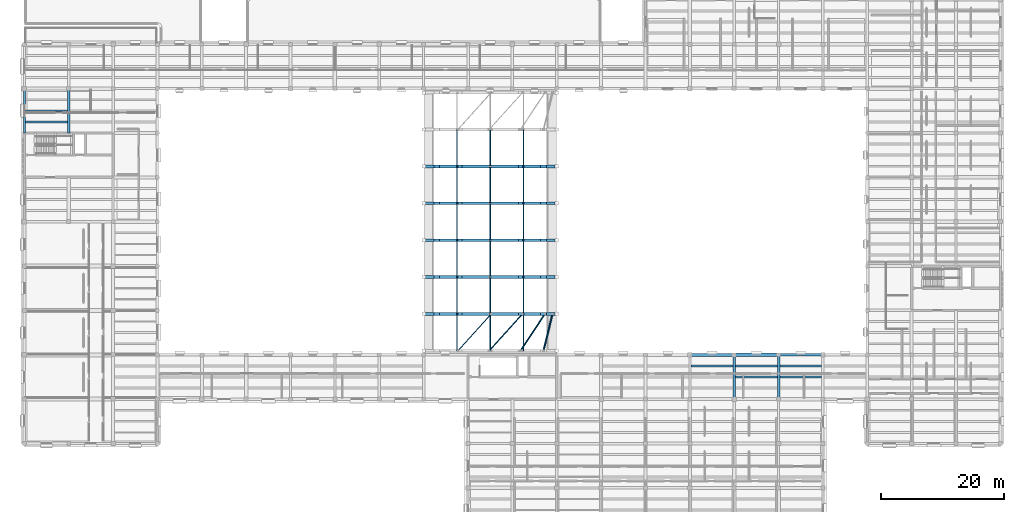
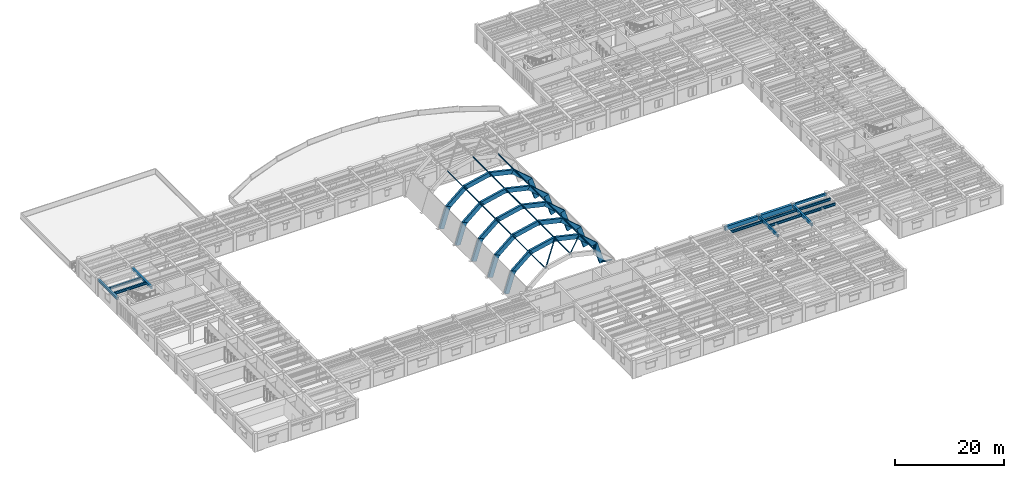
# One storey, part 10 of 66: 44 beams, 22 members.
"""IFC4 building model written with IfcOpenShell, lengths in metres."""

from ifc_helpers import new_model, si_unit, direction, frame, origin, origin_2d, place, context, subcontext, project, spatial, rectangle, hollow_circle, i_section, extrude, material, material_profile, profile_set, type_object, element, save


model = new_model("IFC4")

# Units and contexts
model_context = context("Model", 3, precision=1e-05, world=origin(), true_north=direction((0.0, 1.0)))
body_context = subcontext(model_context, "Body", "Model", "MODEL_VIEW")
ifc_project = project(units=[si_unit("LENGTHUNIT", "METRE"), si_unit("AREAUNIT", "SQUARE_METRE"), si_unit("VOLUMEUNIT", "CUBIC_METRE"), si_unit("PLANEANGLEUNIT", "RADIAN"), si_unit("MASSUNIT", "GRAM", prefix="KILO")], contexts=[model_context])

# Site, building, storey
site_placement = place(None, origin())
site = spatial("IfcSite", under=ifc_project, at=site_placement, CompositionType="ELEMENT")
building_placement = place(site_placement, origin())
building = spatial("IfcBuilding", under=site, at=building_placement, Name="Mithqara Police Headquarters", CompositionType="ELEMENT")
storey_placement = place(building_placement, frame((0.0, 0.0, 9.60009765625)))
storey = spatial("IfcBuildingStorey", under=building, at=storey_placement, Name="L02", CompositionType="ELEMENT", Elevation=9.60009765625)

# Beams
ifc_material_1 = material(Name="Steel S355JR", Category="steel")
ifc_material_profile_1 = material_profile(ifc_material_1, i_section(OverallWidth=0.300048828125, OverallDepth=0.550048828125, WebThickness=0.014892578125, FlangeThickness=0.029052734375, FilletRadius=0.027099609375, at=origin_2d()), Name="HEB 550")
ifc_profile_set_1 = profile_set([ifc_material_profile_1], Name="Steel S355JR")
beam_type_1 = type_object("IfcBeamType", Name="BEAM HEB550", PredefinedType="BEAM", material=ifc_profile_set_1)
for number, where, z_axis, x_axis, name in (
    (1, (7.97509765625, 73.199951171875, 3.664794921875), (1.0, 0.0, 0.0), (0.0, 1.0, 0.0), "L02 Composite Steel Joist 2-3/L.1"),
    (2, (7.97509765625, 75.0, 3.664794921875), (1.0, 0.0, 0.0), (0.0, 1.0, 0.0), "L02 Composite Steel Joist 2-3/L.2"),
    (3, (115.97509765625, 33.60009765625, 3.664794921875), (1.0, 0.0, 0.0), (0.0, 1.0, 0.0), "L02 Composite Steel Joist 17-18/E.3"),
):
    element("IfcBeam", number, at=place(storey_placement, frame(where, z_axis=z_axis, x_axis=x_axis)), inside=storey, type_object=beam_type_1, Name=name, PredefinedType="BEAM", context=body_context, shape_type="SweptSolid", body=[
        extrude(i_section(OverallWidth=0.300048828125, OverallDepth=0.550048828125, WebThickness=0.014892578125, FlangeThickness=0.029052734375, FilletRadius=0.027099609375, at=origin_2d()), origin(), (0.0, 0.0, 1.0), 6.849853515625),
    ])
for number, where, z_axis, x_axis, name in (
    (4, (123.175048828125, 31.800048828125, 3.664794921875), (1.0, 0.0, 0.0), (0.0, 1.0, 0.0), "L02 Composite Steel Joist 18-19/E.2"),
    (5, (123.175048828125, 33.60009765625, 3.664794921875), (1.0, 0.0, 0.0), (0.0, 1.0, 0.0), "L02 Composite Steel Joist 18-19/E.3"),
):
    element("IfcBeam", number, at=place(storey_placement, frame(where, z_axis=z_axis, x_axis=x_axis)), inside=storey, type_object=beam_type_1, Name=name, PredefinedType="BEAM", context=body_context, shape_type="SweptSolid", body=[
        extrude(i_section(OverallWidth=0.300048828125, OverallDepth=0.550048828125, WebThickness=0.014892578125, FlangeThickness=0.029052734375, FilletRadius=0.027099609375, at=origin_2d()), origin(), (0.0, 0.0, 1.0), 6.824951171875),
    ])
for number, where, z_axis, x_axis, name in (
    (6, (130.39990234375, 31.800048828125, 3.664794921875), (1.0, 0.0, 0.0), (0.0, 1.0, 0.0), "L02 Composite Steel Joist 19-20/E.2"),
    (7, (130.39990234375, 33.60009765625, 3.664794921875), (1.0, 0.0, 0.0), (0.0, 1.0, 0.0), "L02 Composite Steel Joist 19-20/E.3"),
):
    element("IfcBeam", number, at=place(storey_placement, frame(where, z_axis=z_axis, x_axis=x_axis)), inside=storey, type_object=beam_type_1, Name=name, PredefinedType="BEAM", context=body_context, shape_type="SweptSolid", body=[
        extrude(i_section(OverallWidth=0.300048828125, OverallDepth=0.550048828125, WebThickness=0.014892578125, FlangeThickness=0.029052734375, FilletRadius=0.027099609375, at=origin_2d()), origin(), (0.0, 0.0, 1.0), 6.800048828125),
    ])
ifc_material_2 = material(Name="Concrete C40/50", Category="concrete")
ifc_material_profile_2 = material_profile(ifc_material_2, rectangle(XDim=0.35009765625, YDim=0.550048828125, at=origin_2d()), Name="RC 350x550")
ifc_profile_set_2 = profile_set([ifc_material_profile_2], Name="Concrete C40/50")
beam_type_2 = type_object("IfcBeamType", Name="BEAM RC350X550", PredefinedType="BEAM", material=ifc_profile_set_2)
beam_1_placement = place(storey_placement, frame((7.800048828125, 71.39990234375, 3.664794921875), z_axis=(0.0, 1.0, 0.0), x_axis=(-1.0, 0.0, 0.0)))
element("IfcBeam", 8, at=beam_1_placement, inside=storey, type_object=beam_type_2, Name="L02 Girder 2/L-M", PredefinedType="BEAM", context=body_context, shape_type="SweptSolid", body=[
    extrude(rectangle(XDim=0.35009765625, YDim=0.550048828125, at=origin_2d()), origin(), (0.0, 0.0, 1.0), 7.2001953125),
])
beam_2_placement = place(storey_placement, frame((130.199951171875, 35.39990234375, 3.664794921875), z_axis=(1.0, 0.0, 0.0), x_axis=(0.0, 1.0, 0.0)))
element("IfcBeam", 9, at=beam_2_placement, inside=storey, type_object=beam_type_2, Name="L02 Girder 19-20/F", PredefinedType="BEAM", context=body_context, shape_type="SweptSolid", body=[
    extrude(rectangle(XDim=0.35009765625, YDim=0.550048828125, at=origin_2d()), origin(), (0.0, 0.0, 1.0), 7.199951171875),
])
ifc_material_profile_3 = material_profile(ifc_material_2, rectangle(XDim=0.35009765625, YDim=0.60009765625, at=origin_2d()), Name="RC 350x600")
ifc_profile_set_3 = profile_set([ifc_material_profile_3], Name="Concrete C40/50")
beam_type_3 = type_object("IfcBeamType", Name="BEAM RC350X600", PredefinedType="BEAM", material=ifc_profile_set_3)
beam_3_placement = place(storey_placement, frame((15.0, 71.39990234375, 3.639892578125), z_axis=(0.0, 1.0, 0.0), x_axis=(-1.0, 0.0, 0.0)))
element("IfcBeam", 10, at=beam_3_placement, inside=storey, type_object=beam_type_3, Name="L02 Girder 3/L-M", PredefinedType="BEAM", context=body_context, shape_type="SweptSolid", body=[
    extrude(rectangle(XDim=0.35009765625, YDim=0.60009765625, at=origin_2d()), origin(), (0.0, 0.0, 1.0), 7.2001953125),
])
beam_4_placement = place(storey_placement, frame((123.0, 28.199951171875, 3.639892578125), z_axis=(0.0, 1.0, 0.0), x_axis=(-1.0, 0.0, 0.0)))
element("IfcBeam", 11, at=beam_4_placement, inside=storey, type_object=beam_type_3, Name="L02 Girder 18/E-F", PredefinedType="BEAM", context=body_context, shape_type="SweptSolid", body=[
    extrude(rectangle(XDim=0.35009765625, YDim=0.60009765625, at=origin_2d()), origin(), (0.0, 0.0, 1.0), 7.199951171875),
])
ifc_material_profile_4 = material_profile(ifc_material_2, rectangle(XDim=0.39990234375, YDim=0.64990234375, at=origin_2d()), Name="RC 400x650")
ifc_profile_set_4 = profile_set([ifc_material_profile_4], Name="Concrete C40/50")
beam_type_4 = type_object("IfcBeamType", Name="BEAM RC400X650", PredefinedType="BEAM", material=ifc_profile_set_4)
beam_5_placement = place(storey_placement, frame((130.199951171875, 28.199951171875, 3.614990234375), z_axis=(0.0, 1.0, 0.0), x_axis=(-1.0, 0.0, 0.0)))
element("IfcBeam", 12, at=beam_5_placement, inside=storey, type_object=beam_type_4, Name="L02 Girder 19/E-F", PredefinedType="BEAM", context=body_context, shape_type="SweptSolid", body=[
    extrude(rectangle(XDim=0.39990234375, YDim=0.64990234375, at=origin_2d()), origin(), (0.0, 0.0, 1.0), 7.199951171875),
])
ifc_material_3 = material(Name="Concrete C50/60", Category="concrete")
ifc_material_profile_5 = material_profile(ifc_material_3, rectangle(XDim=0.5, YDim=0.89990234375, at=origin_2d()), Name="RC 500x900")
ifc_profile_set_5 = profile_set([ifc_material_profile_5], Name="Concrete C50/60")
beam_type_5 = type_object("IfcBeamType", Name="BEAM RC500X900", PredefinedType="BEAM", material=ifc_profile_set_5)
beam_6_placement = place(storey_placement, frame((115.800048828125, 35.39990234375, 3.489990234375), z_axis=(1.0, 0.0, 0.0), x_axis=(0.0, 1.0, 0.0)))
element("IfcBeam", 13, at=beam_6_placement, inside=storey, type_object=beam_type_5, Name="L02 Girder 17-18/F", PredefinedType="BEAM", context=body_context, shape_type="SweptSolid", body=[
    extrude(rectangle(XDim=0.5, YDim=0.89990234375, at=origin_2d()), origin(), (0.0, 0.0, 1.0), 7.199951171875),
])
ifc_material_profile_6 = material_profile(ifc_material_3, rectangle(XDim=0.550048828125, YDim=1.0, at=origin_2d()), Name="RC 550x1000")
ifc_profile_set_6 = profile_set([ifc_material_profile_6], Name="Concrete C50/60")
beam_type_6 = type_object("IfcBeamType", Name="BEAM RC550X1000", PredefinedType="BEAM", material=ifc_profile_set_6)
beam_7_placement = place(storey_placement, frame((123.0, 35.39990234375, 3.43994140625), z_axis=(1.0, 0.0, 0.0), x_axis=(0.0, 1.0, 0.0)))
element("IfcBeam", 14, at=beam_7_placement, inside=storey, type_object=beam_type_6, Name="L02 Girder 18-19/F", PredefinedType="BEAM", context=body_context, shape_type="SweptSolid", body=[
    extrude(rectangle(XDim=0.550048828125, YDim=1.0, at=origin_2d()), origin(), (0.0, 0.0, 1.0), 7.199951171875),
])

# Members
ifc_material_profile_7 = material_profile(ifc_material_1, hollow_circle(Radius=0.084228515625, WallThickness=0.008056640625, at=origin_2d()), Name="CHS 168.3x8.0")
ifc_profile_set_7 = profile_set([ifc_material_profile_7], Name="Steel S355JR")
member_type_1 = type_object("IfcMemberType", Name="BRACE CHS168", PredefinedType="BRACE", material=ifc_profile_set_7)
member_1_placement = place(storey_placement, frame((78.16357421875, 36.050048828125, 7.250732421875), z_axis=(0.662166612657, 0.733954466409, 0.151149655378), x_axis=(-0.742484956991, 0.669862738658, 0.0)))
element("IfcMember", 15, at=member_1_placement, inside=storey, type_object=member_type_1, Name="Public Entrance Hall Barrel Vault Vault Wind Brace Bay 1 Facet 3", PredefinedType="BRACE", context=body_context, shape_type="SweptSolid", body=[
    extrude(hollow_circle(Radius=0.084228515625, WallThickness=0.008056640625, at=origin_2d()), origin(), (0.0, 0.0, 1.0), 8.1552734375),
])
ifc_material_profile_8 = material_profile(ifc_material_1, hollow_circle(Radius=0.109619140625, WallThickness=0.010009765625, at=origin_2d()), Name="CHS 219.1x10.0")
ifc_profile_set_8 = profile_set([ifc_material_profile_8], Name="Steel S355JR")
member_type_2 = type_object("IfcMemberType", Name="BRACE CHS219", PredefinedType="BRACE", material=ifc_profile_set_8)
member_2_placement = place(storey_placement, frame((83.236328125, 36.050048828125, 8.4833984375), z_axis=(0.662166612657, 0.733954466409, -0.151149655378), x_axis=(-0.742484956991, 0.669862738658, 0.0)))
element("IfcMember", 16, at=member_2_placement, inside=storey, type_object=member_type_2, Name="Public Entrance Hall Barrel Vault Vault Wind Brace Bay 1 Facet 4", PredefinedType="BRACE", context=body_context, shape_type="SweptSolid", body=[
    extrude(hollow_circle(Radius=0.109619140625, WallThickness=0.010009765625, at=origin_2d()), origin(), (0.0, 0.0, 1.0), 8.1552734375),
])
ifc_material_profile_9 = material_profile(ifc_material_1, hollow_circle(Radius=0.136474609375, WallThickness=0.012451171875, at=origin_2d()), Name="CHS 273.0x12.5")
ifc_profile_set_9 = profile_set([ifc_material_profile_9], Name="Steel S355JR")
member_type_3 = type_object("IfcMemberType", Name="BRACE CHS273", PredefinedType="BRACE", material=ifc_profile_set_9)
member_3_placement = place(storey_placement, frame((88.323486328125, 36.050048828125, 7.40771484375), z_axis=(0.498862613328, 0.755349227455, -0.424951335575), x_axis=(-0.834440689839, 0.551097754614, 0.0)))
element("IfcMember", 17, at=member_3_placement, inside=storey, type_object=member_type_3, Name="Public Entrance Hall Barrel Vault Vault Wind Brace Bay 1 Facet 5", PredefinedType="BRACE", context=body_context, shape_type="SweptSolid", body=[
    extrude(hollow_circle(Radius=0.136474609375, WallThickness=0.012451171875, at=origin_2d()), origin(), (0.0, 0.0, 1.0), 7.92431640625),
])
ifc_material_profile_10 = material_profile(ifc_material_1, hollow_circle(Radius=0.161865234375, WallThickness=0.012451171875, at=origin_2d()), Name="CHS 323.9x12.5")
ifc_profile_set_10 = profile_set([ifc_material_profile_10], Name="Steel S355JR")
member_type_4 = type_object("IfcMemberType", Name="BRACE CHS324", PredefinedType="BRACE", material=ifc_profile_set_10)
member_4_placement = place(storey_placement, frame((92.052001953125, 36.050048828125, 4.37939453125), z_axis=(0.188224538172, 0.778721060137, -0.598468907905), x_axis=(-0.972008882292, 0.234944105578, 0.0)))
element("IfcMember", 18, at=member_4_placement, inside=storey, type_object=member_type_4, Name="Public Entrance Hall Barrel Vault Vault Wind Brace Bay 1 Facet 6", PredefinedType="BRACE", context=body_context, shape_type="SweptSolid", body=[
    extrude(hollow_circle(Radius=0.161865234375, WallThickness=0.012451171875, at=origin_2d()), origin(), (0.0, 0.0, 1.0), 7.6865234375),
])
ifc_material_profile_11 = material_profile(ifc_material_1, i_section(OverallWidth=0.1201171875, OverallDepth=0.239990234375, WebThickness=0.006103515625, FlangeThickness=0.009765625, FilletRadius=0.014892578125, at=origin_2d()), Name="IPE 240")
ifc_profile_set_11 = profile_set([ifc_material_profile_11], Name="Steel S355JR")
member_type_5 = type_object("IfcMemberType", Name="PURLIN IPE240", PredefinedType="PURLIN", material=ifc_profile_set_11)
for number, where, z_axis, x_axis, name in (
    (19, (78.0, 36.050048828125, 7.477294921875), (0.0, 1.0, 0.0), (-1.0, 0.0, 0.0), "Public Entrance Hall Barrel Vault Roof Purlin Bay 1.2"),
    (20, (88.800048828125, 36.050048828125, 7.477294921875), (0.0, 1.0, 0.0), (-1.0, 0.0, 0.0), "Public Entrance Hall Barrel Vault Roof Purlin Bay 1.4"),
):
    element("IfcMember", number, at=place(storey_placement, frame(where, z_axis=z_axis, x_axis=x_axis)), inside=storey, type_object=member_type_5, Name=name, PredefinedType="PURLIN", context=body_context, shape_type="SweptSolid", body=[
        extrude(i_section(OverallWidth=0.1201171875, OverallDepth=0.239990234375, WebThickness=0.006103515625, FlangeThickness=0.009765625, FilletRadius=0.014892578125, at=origin_2d()), origin(), (0.0, 0.0, 1.0), 5.985595703125),
    ])
for number, where, z_axis, x_axis, name in (
    (21, (78.0, 42.03564453125, 7.477294921875), (0.0, 1.0, 0.0), (-1.0, 0.0, 0.0), "Public Entrance Hall Barrel Vault Roof Purlin Bay 2.2"),
    (22, (88.800048828125, 42.03564453125, 7.477294921875), (0.0, 1.0, 0.0), (-1.0, 0.0, 0.0), "Public Entrance Hall Barrel Vault Roof Purlin Bay 2.4"),
):
    element("IfcMember", number, at=place(storey_placement, frame(where, z_axis=z_axis, x_axis=x_axis)), inside=storey, type_object=member_type_5, Name=name, PredefinedType="PURLIN", context=body_context, shape_type="SweptSolid", body=[
        extrude(i_section(OverallWidth=0.1201171875, OverallDepth=0.239990234375, WebThickness=0.006103515625, FlangeThickness=0.009765625, FilletRadius=0.014892578125, at=origin_2d()), origin(), (0.0, 0.0, 1.0), 5.98583984375),
    ])
for number, where, z_axis, x_axis, name in (
    (23, (78.0, 48.021484375, 7.477294921875), (0.0, 1.0, 0.0), (-1.0, 0.0, 0.0), "Public Entrance Hall Barrel Vault Roof Purlin Bay 3.2"),
    (24, (88.800048828125, 48.021484375, 7.477294921875), (0.0, 1.0, 0.0), (-1.0, 0.0, 0.0), "Public Entrance Hall Barrel Vault Roof Purlin Bay 3.4"),
):
    element("IfcMember", number, at=place(storey_placement, frame(where, z_axis=z_axis, x_axis=x_axis)), inside=storey, type_object=member_type_5, Name=name, PredefinedType="PURLIN", context=body_context, shape_type="SweptSolid", body=[
        extrude(i_section(OverallWidth=0.1201171875, OverallDepth=0.239990234375, WebThickness=0.006103515625, FlangeThickness=0.009765625, FilletRadius=0.014892578125, at=origin_2d()), origin(), (0.0, 0.0, 1.0), 5.985595703125),
    ])
for number, where, z_axis, x_axis, name in (
    (25, (78.0, 54.007080078125, 7.477294921875), (0.0, 1.0, 0.0), (-1.0, 0.0, 0.0), "Public Entrance Hall Barrel Vault Roof Purlin Bay 4.2"),
    (26, (88.800048828125, 54.007080078125, 7.477294921875), (0.0, 1.0, 0.0), (-1.0, 0.0, 0.0), "Public Entrance Hall Barrel Vault Roof Purlin Bay 4.4"),
):
    element("IfcMember", number, at=place(storey_placement, frame(where, z_axis=z_axis, x_axis=x_axis)), inside=storey, type_object=member_type_5, Name=name, PredefinedType="PURLIN", context=body_context, shape_type="SweptSolid", body=[
        extrude(i_section(OverallWidth=0.1201171875, OverallDepth=0.239990234375, WebThickness=0.006103515625, FlangeThickness=0.009765625, FilletRadius=0.014892578125, at=origin_2d()), origin(), (0.0, 0.0, 1.0), 5.98583984375),
    ])
for number, where, z_axis, x_axis, name in (
    (27, (78.0, 59.992919921875, 7.477294921875), (0.0, 1.0, 0.0), (-1.0, 0.0, 0.0), "Public Entrance Hall Barrel Vault Roof Purlin Bay 5.2"),
    (28, (88.800048828125, 59.992919921875, 7.477294921875), (0.0, 1.0, 0.0), (-1.0, 0.0, 0.0), "Public Entrance Hall Barrel Vault Roof Purlin Bay 5.4"),
):
    element("IfcMember", number, at=place(storey_placement, frame(where, z_axis=z_axis, x_axis=x_axis)), inside=storey, type_object=member_type_5, Name=name, PredefinedType="PURLIN", context=body_context, shape_type="SweptSolid", body=[
        extrude(i_section(OverallWidth=0.1201171875, OverallDepth=0.239990234375, WebThickness=0.006103515625, FlangeThickness=0.009765625, FilletRadius=0.014892578125, at=origin_2d()), origin(), (0.0, 0.0, 1.0), 5.985595703125),
    ])
for number, where, z_axis, x_axis, name in (
    (29, (78.0, 65.978515625, 7.477294921875), (0.0, 1.0, 0.0), (-1.0, 0.0, 0.0), "Public Entrance Hall Barrel Vault Roof Purlin Bay 6.2"),
    (30, (88.800048828125, 65.978515625, 7.477294921875), (0.0, 1.0, 0.0), (-1.0, 0.0, 0.0), "Public Entrance Hall Barrel Vault Roof Purlin Bay 6.4"),
):
    element("IfcMember", number, at=place(storey_placement, frame(where, z_axis=z_axis, x_axis=x_axis)), inside=storey, type_object=member_type_5, Name=name, PredefinedType="PURLIN", context=body_context, shape_type="SweptSolid", body=[
        extrude(i_section(OverallWidth=0.1201171875, OverallDepth=0.239990234375, WebThickness=0.006103515625, FlangeThickness=0.009765625, FilletRadius=0.014892578125, at=origin_2d()), origin(), (0.0, 0.0, 1.0), 5.98583984375),
    ])
ifc_material_profile_12 = material_profile(ifc_material_1, i_section(OverallWidth=0.135009765625, OverallDepth=0.27001953125, WebThickness=0.006591796875, FlangeThickness=0.01025390625, FilletRadius=0.014892578125, at=origin_2d()), Name="IPE 270")
ifc_profile_set_12 = profile_set([ifc_material_profile_12], Name="Steel S355JR")
member_type_6 = type_object("IfcMemberType", Name="PURLIN IPE270", PredefinedType="PURLIN", material=ifc_profile_set_12)
member_5_placement = place(storey_placement, frame((83.39990234375, 36.050048828125, 8.793701171875), z_axis=(0.0, 1.0, 0.0), x_axis=(-1.0, 0.0, 0.0)))
element("IfcMember", 31, at=member_5_placement, inside=storey, type_object=member_type_6, Name="Public Entrance Hall Barrel Vault Roof Purlin Bay 1.3", PredefinedType="PURLIN", context=body_context, shape_type="SweptSolid", body=[
    extrude(i_section(OverallWidth=0.135009765625, OverallDepth=0.27001953125, WebThickness=0.006591796875, FlangeThickness=0.01025390625, FilletRadius=0.014892578125, at=origin_2d()), origin(), (0.0, 0.0, 1.0), 5.985595703125),
])
member_6_placement = place(storey_placement, frame((83.39990234375, 42.03564453125, 8.793701171875), z_axis=(0.0, 1.0, 0.0), x_axis=(-1.0, 0.0, 0.0)))
element("IfcMember", 32, at=member_6_placement, inside=storey, type_object=member_type_6, Name="Public Entrance Hall Barrel Vault Roof Purlin Bay 2.3", PredefinedType="PURLIN", context=body_context, shape_type="SweptSolid", body=[
    extrude(i_section(OverallWidth=0.135009765625, OverallDepth=0.27001953125, WebThickness=0.006591796875, FlangeThickness=0.01025390625, FilletRadius=0.014892578125, at=origin_2d()), origin(), (0.0, 0.0, 1.0), 5.98583984375),
])
member_7_placement = place(storey_placement, frame((83.39990234375, 48.021484375, 8.793701171875), z_axis=(0.0, 1.0, 0.0), x_axis=(-1.0, 0.0, 0.0)))
element("IfcMember", 33, at=member_7_placement, inside=storey, type_object=member_type_6, Name="Public Entrance Hall Barrel Vault Roof Purlin Bay 3.3", PredefinedType="PURLIN", context=body_context, shape_type="SweptSolid", body=[
    extrude(i_section(OverallWidth=0.135009765625, OverallDepth=0.27001953125, WebThickness=0.006591796875, FlangeThickness=0.01025390625, FilletRadius=0.014892578125, at=origin_2d()), origin(), (0.0, 0.0, 1.0), 5.985595703125),
])
member_8_placement = place(storey_placement, frame((83.39990234375, 54.007080078125, 8.793701171875), z_axis=(0.0, 1.0, 0.0), x_axis=(-1.0, 0.0, 0.0)))
element("IfcMember", 34, at=member_8_placement, inside=storey, type_object=member_type_6, Name="Public Entrance Hall Barrel Vault Roof Purlin Bay 4.3", PredefinedType="PURLIN", context=body_context, shape_type="SweptSolid", body=[
    extrude(i_section(OverallWidth=0.135009765625, OverallDepth=0.27001953125, WebThickness=0.006591796875, FlangeThickness=0.01025390625, FilletRadius=0.014892578125, at=origin_2d()), origin(), (0.0, 0.0, 1.0), 5.98583984375),
])
member_9_placement = place(storey_placement, frame((83.39990234375, 59.992919921875, 8.793701171875), z_axis=(0.0, 1.0, 0.0), x_axis=(-1.0, 0.0, 0.0)))
element("IfcMember", 35, at=member_9_placement, inside=storey, type_object=member_type_6, Name="Public Entrance Hall Barrel Vault Roof Purlin Bay 5.3", PredefinedType="PURLIN", context=body_context, shape_type="SweptSolid", body=[
    extrude(i_section(OverallWidth=0.135009765625, OverallDepth=0.27001953125, WebThickness=0.006591796875, FlangeThickness=0.01025390625, FilletRadius=0.014892578125, at=origin_2d()), origin(), (0.0, 0.0, 1.0), 5.985595703125),
])
member_10_placement = place(storey_placement, frame((83.39990234375, 65.978515625, 8.793701171875), z_axis=(0.0, 1.0, 0.0), x_axis=(-1.0, 0.0, 0.0)))
element("IfcMember", 36, at=member_10_placement, inside=storey, type_object=member_type_6, Name="Public Entrance Hall Barrel Vault Roof Purlin Bay 6.3", PredefinedType="PURLIN", context=body_context, shape_type="SweptSolid", body=[
    extrude(i_section(OverallWidth=0.135009765625, OverallDepth=0.27001953125, WebThickness=0.006591796875, FlangeThickness=0.01025390625, FilletRadius=0.014892578125, at=origin_2d()), origin(), (0.0, 0.0, 1.0), 5.98583984375),
])

# Beams
ifc_material_profile_13 = material_profile(ifc_material_3, rectangle(XDim=0.449951171875, YDim=0.949951171875, at=origin_2d()), Name="RIB 450x950")
ifc_profile_set_13 = profile_set([ifc_material_profile_13], Name="Concrete C50/60")
beam_type_7 = type_object("IfcBeamType", Name="VAULT RIB 450X950", PredefinedType="BEAM", material=ifc_profile_set_13)
beam_8_placement = place(storey_placement, frame((73.301025390625, 42.03564453125, -0.220703125), z_axis=(0.300067498999, 0.0, 0.95391797134), x_axis=(0.0, 1.0, 0.0)))
element("IfcBeam", 37, at=beam_8_placement, inside=storey, type_object=beam_type_7, Name="Public Entrance Hall Barrel Vault Arch Rib 2 Chord 1", PredefinedType="BEAM", context=body_context, shape_type="SweptSolid", body=[
    extrude(rectangle(XDim=0.449951171875, YDim=0.949951171875, at=origin_2d()), origin(), (0.0, 0.0, 1.0), 4.822265625),
])
beam_9_placement = place(storey_placement, frame((74.5234375, 42.03564453125, 4.040283203125), z_axis=(0.761247528234, 0.0, 0.648461410384), x_axis=(0.0, 1.0, 0.0)))
element("IfcBeam", 38, at=beam_9_placement, inside=storey, type_object=beam_type_7, Name="Public Entrance Hall Barrel Vault Arch Rib 2 Chord 2", PredefinedType="BEAM", context=body_context, shape_type="SweptSolid", body=[
    extrude(rectangle(XDim=0.449951171875, YDim=0.949951171875, at=origin_2d()), origin(), (0.0, 0.0, 1.0), 5.19287109375),
])
for number, where, z_axis, x_axis, name in (
    (39, (78.16357421875, 42.03564453125, 7.250732421875), (0.974923297451, 0.0, 0.222541151446), (0.0, 1.0, 0.0), "Public Entrance Hall Barrel Vault Arch Rib 2 Chord 3"),
    (40, (83.236328125, 42.03564453125, 8.4833984375), (0.974923297451, 0.0, -0.222541151446), (0.0, 1.0, 0.0), "Public Entrance Hall Barrel Vault Arch Rib 2 Chord 4"),
):
    element("IfcBeam", number, at=place(storey_placement, frame(where, z_axis=z_axis, x_axis=x_axis)), inside=storey, type_object=beam_type_7, Name=name, PredefinedType="BEAM", context=body_context, shape_type="SweptSolid", body=[
        extrude(rectangle(XDim=0.449951171875, YDim=0.949951171875, at=origin_2d()), origin(), (0.0, 0.0, 1.0), 5.5390625),
    ])
beam_10_placement = place(storey_placement, frame((88.323486328125, 42.03564453125, 7.40771484375), z_axis=(0.761247528234, 0.0, -0.648461410384), x_axis=(0.0, 1.0, 0.0)))
element("IfcBeam", 41, at=beam_10_placement, inside=storey, type_object=beam_type_7, Name="Public Entrance Hall Barrel Vault Arch Rib 2 Chord 5", PredefinedType="BEAM", context=body_context, shape_type="SweptSolid", body=[
    extrude(rectangle(XDim=0.449951171875, YDim=0.949951171875, at=origin_2d()), origin(), (0.0, 0.0, 1.0), 5.19287109375),
])
for number, where, z_axis, x_axis, name in (
    (42, (92.052001953125, 42.03564453125, 4.37939453125), (0.300021429234, 0.0, -0.95393246197), (0.0, 1.0, 0.0), "Public Entrance Hall Barrel Vault Arch Rib 2 Chord 6"),
    (43, (73.301025390625, 48.021484375, -0.220703125), (0.300067498999, 0.0, 0.95391797134), (0.0, 1.0, 0.0), "Public Entrance Hall Barrel Vault Arch Rib 3 Chord 1"),
):
    element("IfcBeam", number, at=place(storey_placement, frame(where, z_axis=z_axis, x_axis=x_axis)), inside=storey, type_object=beam_type_7, Name=name, PredefinedType="BEAM", context=body_context, shape_type="SweptSolid", body=[
        extrude(rectangle(XDim=0.449951171875, YDim=0.949951171875, at=origin_2d()), origin(), (0.0, 0.0, 1.0), 4.822265625),
    ])
beam_11_placement = place(storey_placement, frame((74.5234375, 48.021484375, 4.040283203125), z_axis=(0.761247528234, 0.0, 0.648461410384), x_axis=(0.0, 1.0, 0.0)))
element("IfcBeam", 44, at=beam_11_placement, inside=storey, type_object=beam_type_7, Name="Public Entrance Hall Barrel Vault Arch Rib 3 Chord 2", PredefinedType="BEAM", context=body_context, shape_type="SweptSolid", body=[
    extrude(rectangle(XDim=0.449951171875, YDim=0.949951171875, at=origin_2d()), origin(), (0.0, 0.0, 1.0), 5.19287109375),
])
for number, where, z_axis, x_axis, name in (
    (45, (78.16357421875, 48.021484375, 7.250732421875), (0.974923297451, 0.0, 0.222541151446), (0.0, 1.0, 0.0), "Public Entrance Hall Barrel Vault Arch Rib 3 Chord 3"),
    (46, (83.236328125, 48.021484375, 8.4833984375), (0.974923297451, 0.0, -0.222541151446), (0.0, 1.0, 0.0), "Public Entrance Hall Barrel Vault Arch Rib 3 Chord 4"),
):
    element("IfcBeam", number, at=place(storey_placement, frame(where, z_axis=z_axis, x_axis=x_axis)), inside=storey, type_object=beam_type_7, Name=name, PredefinedType="BEAM", context=body_context, shape_type="SweptSolid", body=[
        extrude(rectangle(XDim=0.449951171875, YDim=0.949951171875, at=origin_2d()), origin(), (0.0, 0.0, 1.0), 5.5390625),
    ])
beam_12_placement = place(storey_placement, frame((88.323486328125, 48.021484375, 7.40771484375), z_axis=(0.761247528234, 0.0, -0.648461410384), x_axis=(0.0, 1.0, 0.0)))
element("IfcBeam", 47, at=beam_12_placement, inside=storey, type_object=beam_type_7, Name="Public Entrance Hall Barrel Vault Arch Rib 3 Chord 5", PredefinedType="BEAM", context=body_context, shape_type="SweptSolid", body=[
    extrude(rectangle(XDim=0.449951171875, YDim=0.949951171875, at=origin_2d()), origin(), (0.0, 0.0, 1.0), 5.19287109375),
])
for number, where, z_axis, x_axis, name in (
    (48, (92.052001953125, 48.021484375, 4.37939453125), (0.300021429234, 0.0, -0.95393246197), (0.0, 1.0, 0.0), "Public Entrance Hall Barrel Vault Arch Rib 3 Chord 6"),
    (49, (73.301025390625, 54.007080078125, -0.220703125), (0.300067498999, 0.0, 0.95391797134), (0.0, 1.0, 0.0), "Public Entrance Hall Barrel Vault Arch Rib 4 Chord 1"),
):
    element("IfcBeam", number, at=place(storey_placement, frame(where, z_axis=z_axis, x_axis=x_axis)), inside=storey, type_object=beam_type_7, Name=name, PredefinedType="BEAM", context=body_context, shape_type="SweptSolid", body=[
        extrude(rectangle(XDim=0.449951171875, YDim=0.949951171875, at=origin_2d()), origin(), (0.0, 0.0, 1.0), 4.822265625),
    ])
beam_13_placement = place(storey_placement, frame((74.5234375, 54.007080078125, 4.040283203125), z_axis=(0.761247528234, 0.0, 0.648461410384), x_axis=(0.0, 1.0, 0.0)))
element("IfcBeam", 50, at=beam_13_placement, inside=storey, type_object=beam_type_7, Name="Public Entrance Hall Barrel Vault Arch Rib 4 Chord 2", PredefinedType="BEAM", context=body_context, shape_type="SweptSolid", body=[
    extrude(rectangle(XDim=0.449951171875, YDim=0.949951171875, at=origin_2d()), origin(), (0.0, 0.0, 1.0), 5.19287109375),
])
for number, where, z_axis, x_axis, name in (
    (51, (78.16357421875, 54.007080078125, 7.250732421875), (0.974923297451, 0.0, 0.222541151446), (0.0, 1.0, 0.0), "Public Entrance Hall Barrel Vault Arch Rib 4 Chord 3"),
    (52, (83.236328125, 54.007080078125, 8.4833984375), (0.974923297451, 0.0, -0.222541151446), (0.0, 1.0, 0.0), "Public Entrance Hall Barrel Vault Arch Rib 4 Chord 4"),
):
    element("IfcBeam", number, at=place(storey_placement, frame(where, z_axis=z_axis, x_axis=x_axis)), inside=storey, type_object=beam_type_7, Name=name, PredefinedType="BEAM", context=body_context, shape_type="SweptSolid", body=[
        extrude(rectangle(XDim=0.449951171875, YDim=0.949951171875, at=origin_2d()), origin(), (0.0, 0.0, 1.0), 5.5390625),
    ])
beam_14_placement = place(storey_placement, frame((88.323486328125, 54.007080078125, 7.40771484375), z_axis=(0.761247528234, 0.0, -0.648461410384), x_axis=(0.0, 1.0, 0.0)))
element("IfcBeam", 53, at=beam_14_placement, inside=storey, type_object=beam_type_7, Name="Public Entrance Hall Barrel Vault Arch Rib 4 Chord 5", PredefinedType="BEAM", context=body_context, shape_type="SweptSolid", body=[
    extrude(rectangle(XDim=0.449951171875, YDim=0.949951171875, at=origin_2d()), origin(), (0.0, 0.0, 1.0), 5.19287109375),
])
for number, where, z_axis, x_axis, name in (
    (54, (92.052001953125, 54.007080078125, 4.37939453125), (0.300021429234, 0.0, -0.95393246197), (0.0, 1.0, 0.0), "Public Entrance Hall Barrel Vault Arch Rib 4 Chord 6"),
    (55, (73.301025390625, 59.992919921875, -0.220703125), (0.300067498999, 0.0, 0.95391797134), (0.0, 1.0, 0.0), "Public Entrance Hall Barrel Vault Arch Rib 5 Chord 1"),
):
    element("IfcBeam", number, at=place(storey_placement, frame(where, z_axis=z_axis, x_axis=x_axis)), inside=storey, type_object=beam_type_7, Name=name, PredefinedType="BEAM", context=body_context, shape_type="SweptSolid", body=[
        extrude(rectangle(XDim=0.449951171875, YDim=0.949951171875, at=origin_2d()), origin(), (0.0, 0.0, 1.0), 4.822265625),
    ])
beam_15_placement = place(storey_placement, frame((74.5234375, 59.992919921875, 4.040283203125), z_axis=(0.761247528234, 0.0, 0.648461410384), x_axis=(0.0, 1.0, 0.0)))
element("IfcBeam", 56, at=beam_15_placement, inside=storey, type_object=beam_type_7, Name="Public Entrance Hall Barrel Vault Arch Rib 5 Chord 2", PredefinedType="BEAM", context=body_context, shape_type="SweptSolid", body=[
    extrude(rectangle(XDim=0.449951171875, YDim=0.949951171875, at=origin_2d()), origin(), (0.0, 0.0, 1.0), 5.19287109375),
])
for number, where, z_axis, x_axis, name in (
    (57, (78.16357421875, 59.992919921875, 7.250732421875), (0.974923297451, 0.0, 0.222541151446), (0.0, 1.0, 0.0), "Public Entrance Hall Barrel Vault Arch Rib 5 Chord 3"),
    (58, (83.236328125, 59.992919921875, 8.4833984375), (0.974923297451, 0.0, -0.222541151446), (0.0, 1.0, 0.0), "Public Entrance Hall Barrel Vault Arch Rib 5 Chord 4"),
):
    element("IfcBeam", number, at=place(storey_placement, frame(where, z_axis=z_axis, x_axis=x_axis)), inside=storey, type_object=beam_type_7, Name=name, PredefinedType="BEAM", context=body_context, shape_type="SweptSolid", body=[
        extrude(rectangle(XDim=0.449951171875, YDim=0.949951171875, at=origin_2d()), origin(), (0.0, 0.0, 1.0), 5.5390625),
    ])
beam_16_placement = place(storey_placement, frame((88.323486328125, 59.992919921875, 7.40771484375), z_axis=(0.761247528234, 0.0, -0.648461410384), x_axis=(0.0, 1.0, 0.0)))
element("IfcBeam", 59, at=beam_16_placement, inside=storey, type_object=beam_type_7, Name="Public Entrance Hall Barrel Vault Arch Rib 5 Chord 5", PredefinedType="BEAM", context=body_context, shape_type="SweptSolid", body=[
    extrude(rectangle(XDim=0.449951171875, YDim=0.949951171875, at=origin_2d()), origin(), (0.0, 0.0, 1.0), 5.19287109375),
])
for number, where, z_axis, x_axis, name in (
    (60, (92.052001953125, 59.992919921875, 4.37939453125), (0.300021429234, 0.0, -0.95393246197), (0.0, 1.0, 0.0), "Public Entrance Hall Barrel Vault Arch Rib 5 Chord 6"),
    (61, (73.301025390625, 65.978515625, -0.220703125), (0.300067498999, 0.0, 0.95391797134), (0.0, 1.0, 0.0), "Public Entrance Hall Barrel Vault Arch Rib 6 Chord 1"),
):
    element("IfcBeam", number, at=place(storey_placement, frame(where, z_axis=z_axis, x_axis=x_axis)), inside=storey, type_object=beam_type_7, Name=name, PredefinedType="BEAM", context=body_context, shape_type="SweptSolid", body=[
        extrude(rectangle(XDim=0.449951171875, YDim=0.949951171875, at=origin_2d()), origin(), (0.0, 0.0, 1.0), 4.822265625),
    ])
beam_17_placement = place(storey_placement, frame((74.5234375, 65.978515625, 4.040283203125), z_axis=(0.761247528234, 0.0, 0.648461410384), x_axis=(0.0, 1.0, 0.0)))
element("IfcBeam", 62, at=beam_17_placement, inside=storey, type_object=beam_type_7, Name="Public Entrance Hall Barrel Vault Arch Rib 6 Chord 2", PredefinedType="BEAM", context=body_context, shape_type="SweptSolid", body=[
    extrude(rectangle(XDim=0.449951171875, YDim=0.949951171875, at=origin_2d()), origin(), (0.0, 0.0, 1.0), 5.19287109375),
])
for number, where, z_axis, x_axis, name in (
    (63, (78.16357421875, 65.978515625, 7.250732421875), (0.974923297451, 0.0, 0.222541151446), (0.0, 1.0, 0.0), "Public Entrance Hall Barrel Vault Arch Rib 6 Chord 3"),
    (64, (83.236328125, 65.978515625, 8.4833984375), (0.974923297451, 0.0, -0.222541151446), (0.0, 1.0, 0.0), "Public Entrance Hall Barrel Vault Arch Rib 6 Chord 4"),
):
    element("IfcBeam", number, at=place(storey_placement, frame(where, z_axis=z_axis, x_axis=x_axis)), inside=storey, type_object=beam_type_7, Name=name, PredefinedType="BEAM", context=body_context, shape_type="SweptSolid", body=[
        extrude(rectangle(XDim=0.449951171875, YDim=0.949951171875, at=origin_2d()), origin(), (0.0, 0.0, 1.0), 5.5390625),
    ])
beam_18_placement = place(storey_placement, frame((88.323486328125, 65.978515625, 7.40771484375), z_axis=(0.761247528234, 0.0, -0.648461410384), x_axis=(0.0, 1.0, 0.0)))
element("IfcBeam", 65, at=beam_18_placement, inside=storey, type_object=beam_type_7, Name="Public Entrance Hall Barrel Vault Arch Rib 6 Chord 5", PredefinedType="BEAM", context=body_context, shape_type="SweptSolid", body=[
    extrude(rectangle(XDim=0.449951171875, YDim=0.949951171875, at=origin_2d()), origin(), (0.0, 0.0, 1.0), 5.19287109375),
])
beam_19_placement = place(storey_placement, frame((92.052001953125, 65.978515625, 4.37939453125), z_axis=(0.300021429234, 0.0, -0.95393246197), x_axis=(0.0, 1.0, 0.0)))
element("IfcBeam", 66, at=beam_19_placement, inside=storey, type_object=beam_type_7, Name="Public Entrance Hall Barrel Vault Arch Rib 6 Chord 6", PredefinedType="BEAM", context=body_context, shape_type="SweptSolid", body=[
    extrude(rectangle(XDim=0.449951171875, YDim=0.949951171875, at=origin_2d()), origin(), (0.0, 0.0, 1.0), 4.822265625),
])

save(model, "model.ifc")
